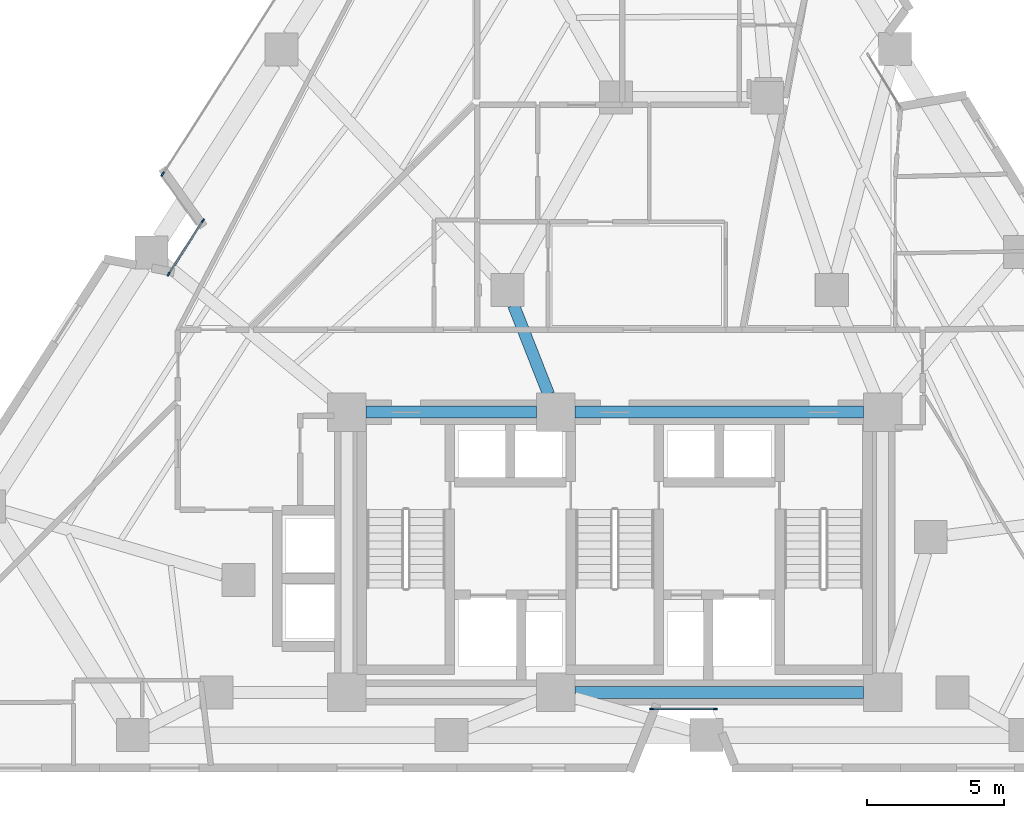
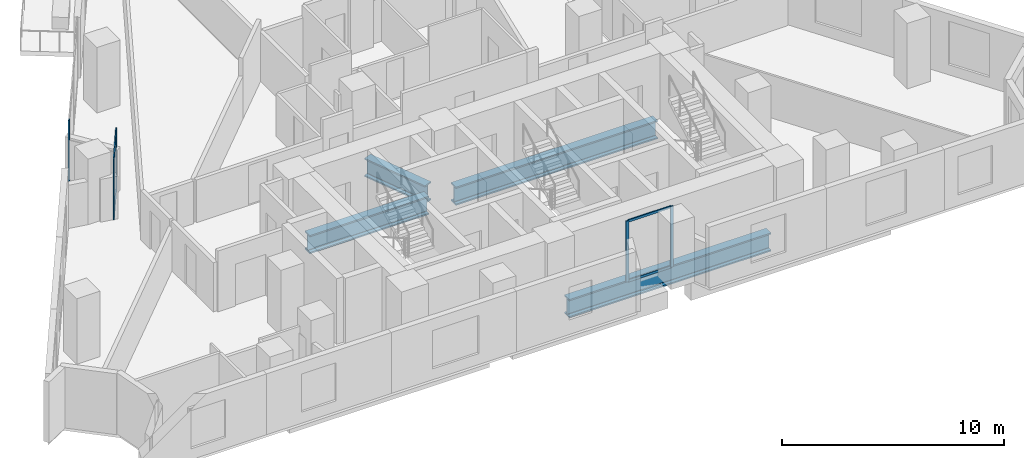
# One storey, part 2 of 13: 9 members, 4 beams, 3 elements without a shape of their own.
"""IFC4 building model written with IfcOpenShell, lengths in metres."""

from ifc_helpers import new_model, si_unit, direction, frame, origin, origin_2d, place, context, subcontext, project, spatial, rectangle, i_section, extrude, material, layer, layer_set, material_profile, profile_set, type_object, element, aggregate, save


model = new_model("IFC4")

# Units and contexts
model_context = context("Model", 3, precision=1e-05, world=origin(), true_north=direction((0.0, 1.0)))
body_context = subcontext(model_context, "Body", "Model", "MODEL_VIEW")
ifc_project = project(units=[si_unit("LENGTHUNIT", "METRE"), si_unit("AREAUNIT", "SQUARE_METRE"), si_unit("VOLUMEUNIT", "CUBIC_METRE"), si_unit("PLANEANGLEUNIT", "RADIAN"), si_unit("MASSUNIT", "GRAM", prefix="KILO")], contexts=[model_context])

# Site, building, storey
site_placement = place(None, origin())
site = spatial("IfcSite", under=ifc_project, at=site_placement, CompositionType="ELEMENT")
building_placement = place(site_placement, origin())
building = spatial("IfcBuilding", under=site, at=building_placement, Name="Almagre Mirador Tower", CompositionType="ELEMENT")
storey_placement = place(building_placement, frame((0.0, 0.0, 82.199951171875)))
storey = spatial("IfcBuildingStorey", under=building, at=storey_placement, Name="L20", CompositionType="ELEMENT", Elevation=82.199951171875)

# Beams
ifc_material_1 = material(Name="Steel ASTM A992 Grade 50", Category="steel")
ifc_material_profile_1 = material_profile(ifc_material_1, i_section(OverallWidth=0.43701171875, OverallDepth=1.010986328125, WebThickness=0.041015625, FlangeThickness=0.073974609375, FilletRadius=0.028076171875, at=origin_2d()), Name="W36X529")
ifc_profile_set_1 = profile_set([ifc_material_profile_1], Name="Steel ASTM A992 Grade 50")
beam_type = type_object("IfcBeamType", Name="BM-STL-W36X529", PredefinedType="BEAM", material=ifc_profile_set_1)
beam_1_placement = place(storey_placement, frame((35.85009765625, 4.550048828125, -0.75537109375), z_axis=(1.0, 0.0, 0.0), x_axis=(0.0, 1.0, 0.0)))
element("IfcBeam", 1, at=beam_1_placement, inside=storey, type_object=beam_type, Name="L20 core tie girder CC2-CC3", PredefinedType="BEAM", context=body_context, shape_type="SweptSolid", body=[
    extrude(i_section(OverallWidth=0.43701171875, OverallDepth=1.010986328125, WebThickness=0.041015625, FlangeThickness=0.073974609375, FilletRadius=0.028076171875, at=origin_2d()), origin(), (0.0, 0.0, 1.0), 10.5),
])
beam_2_placement = place(storey_placement, frame((28.25, 14.75, -0.75537109375), z_axis=(1.0, 0.0, 0.0), x_axis=(0.0, 1.0, 0.0)))
element("IfcBeam", 2, at=beam_2_placement, inside=storey, type_object=beam_type, Name="L20 core tie girder CC4-CC5", PredefinedType="BEAM", context=body_context, shape_type="SweptSolid", body=[
    extrude(i_section(OverallWidth=0.43701171875, OverallDepth=1.010986328125, WebThickness=0.041015625, FlangeThickness=0.073974609375, FilletRadius=0.028076171875, at=origin_2d()), origin(), (0.0, 0.0, 1.0), 6.199951171875),
])
beam_3_placement = place(storey_placement, frame((35.85009765625, 14.75, -0.75537109375), z_axis=(1.0, 0.0, 0.0), x_axis=(0.0, 1.0, 0.0)))
element("IfcBeam", 3, at=beam_3_placement, inside=storey, type_object=beam_type, Name="L20 core tie girder CC5-CC6", PredefinedType="BEAM", context=body_context, shape_type="SweptSolid", body=[
    extrude(i_section(OverallWidth=0.43701171875, OverallDepth=1.010986328125, WebThickness=0.041015625, FlangeThickness=0.073974609375, FilletRadius=0.028076171875, at=origin_2d()), origin(), (0.0, 0.0, 1.0), 10.5),
])
beam_4_placement = place(storey_placement, frame((33.61962890625, 18.6416015625, -0.75537109375), z_axis=(0.365956076985, -0.93063212373, 0.0), x_axis=(0.93063212373, 0.365956076985, 0.0)))
element("IfcBeam", 4, at=beam_4_placement, inside=storey, type_object=beam_type, Name="L20 core tie girder MC8-CC5", PredefinedType="BEAM", context=body_context, shape_type="SweptSolid", body=[
    extrude(i_section(OverallWidth=0.43701171875, OverallDepth=1.010986328125, WebThickness=0.041015625, FlangeThickness=0.073974609375, FilletRadius=0.028076171875, at=origin_2d()), origin(), (0.0, 0.0, 1.0), 3.481689453125),
])

# Curtain wall, members
ifc_material_2 = material(Name="Black anodized aluminium", Category="aluminium")
ifc_layer_1 = layer(ifc_material_2, 0.169921875)
ifc_layer_set_1 = layer_set([ifc_layer_1], Name="Black anodized aluminium")
curtain_wall_type_1 = type_object("IfcCurtainWallType", Name="CW-CRS-SYS", PredefinedType="NOTDEFINED", material=ifc_layer_set_1)
curtain_wall_1_placement = place(storey_placement, origin())
curtain_wall_1 = element("IfcCurtainWall", 5, at=curtain_wall_1_placement, inside=storey, type_object=curtain_wall_type_1, Name="L20 vertical crease curtain wall 01", PredefinedType="NOTDEFINED")
ifc_material_3 = material(Name="Black anodized aluminium", Category="aluminium")
ifc_material_profile_2 = material_profile(ifc_material_3, rectangle(XDim=0.06005859375, YDim=0.14990234375, at=origin_2d()), Name="CWM60X150")
ifc_profile_set_2 = profile_set([ifc_material_profile_2], Name="Black anodized aluminium")
member_type_1 = type_object("IfcMemberType", Name="MBR-CWM60X150", PredefinedType="MULLION", material=ifc_profile_set_2)
member_1_placement = place(storey_placement, frame((21.067626953125, 19.7724609375, 0.0), z_axis=(0.0, 0.0, 1.0), x_axis=(-0.841947934991, 0.539558777859, 0.0)))
member_1 = element("IfcMember", 6, at=member_1_placement, type_object=member_type_1, Name="CW-4 mullion 1", PredefinedType="MULLION", context=body_context, shape_type="SweptSolid", body=[
    extrude(rectangle(XDim=0.06005859375, YDim=0.14990234375, at=origin_2d()), origin(), (0.0, 0.0, 1.0), 3.35009765625),
])
member_2_placement = place(storey_placement, frame((22.314208984375, 21.717529296875, 0.0), z_axis=(0.0, 0.0, 1.0), x_axis=(-0.841947934991, 0.539558777859, 0.0)))
member_2 = element("IfcMember", 7, at=member_2_placement, type_object=member_type_1, Name="CW-4 mullion 2", PredefinedType="MULLION", context=body_context, shape_type="SweptSolid", body=[
    extrude(rectangle(XDim=0.06005859375, YDim=0.14990234375, at=origin_2d()), origin(), (0.0, 0.0, 1.0), 3.35009765625),
])

curtain_wall_2_placement = place(storey_placement, origin())
curtain_wall_2 = element("IfcCurtainWall", 8, at=curtain_wall_2_placement, inside=storey, type_object=curtain_wall_type_1, Name="L20 vertical crease curtain wall 04", PredefinedType="NOTDEFINED")
member_3_placement = place(storey_placement, frame((40.962890625, 3.949951171875, 0.0), z_axis=(0.0, 0.0, 1.0), x_axis=(0.0, -1.0, 0.0)))
member_3 = element("IfcMember", 9, at=member_3_placement, type_object=member_type_1, Name="CW-4 mullion 1", PredefinedType="MULLION", context=body_context, shape_type="SweptSolid", body=[
    extrude(rectangle(XDim=0.06005859375, YDim=0.14990234375, at=origin_2d()), origin(), (0.0, 0.0, 1.0), 3.35009765625),
])
member_4_placement = place(storey_placement, frame((38.653076171875, 3.949951171875, 0.0), z_axis=(0.0, 0.0, 1.0), x_axis=(0.0, -1.0, 0.0)))
member_4 = element("IfcMember", 10, at=member_4_placement, type_object=member_type_1, Name="CW-4 mullion 2", PredefinedType="MULLION", context=body_context, shape_type="SweptSolid", body=[
    extrude(rectangle(XDim=0.06005859375, YDim=0.14990234375, at=origin_2d()), origin(), (0.0, 0.0, 1.0), 3.35009765625),
])

# Curtain wall, member
ifc_material_4 = material(Name="Black anodized aluminium", Category="aluminium")
ifc_layer_2 = layer(ifc_material_4, 0.18994140625)
ifc_layer_set_2 = layer_set([ifc_layer_2], Name="Black anodized aluminium")
curtain_wall_type_2 = type_object("IfcCurtainWallType", Name="CW-RES-L-SYS", PredefinedType="NOTDEFINED", material=ifc_layer_set_2)
curtain_wall_3_placement = place(storey_placement, origin())
curtain_wall_3 = element("IfcCurtainWall", 11, at=curtain_wall_3_placement, inside=storey, type_object=curtain_wall_type_2, Name="L20 curtain wall run 02", PredefinedType="NOTDEFINED")
ifc_material_5 = material(Name="Black anodized aluminium", Category="aluminium")
ifc_material_profile_3 = material_profile(ifc_material_5, rectangle(XDim=0.06494140625, YDim=0.179931640625, at=origin_2d()), Name="CWM65X180")
ifc_profile_set_3 = profile_set([ifc_material_profile_3], Name="Black anodized aluminium")
member_type_2 = type_object("IfcMemberType", Name="MBR-CWM65X180", PredefinedType="MULLION", material=ifc_profile_set_3)
member_5_placement = place(storey_placement, frame((20.84814453125, 23.41357421875, 0.0), z_axis=(0.0, 0.0, 1.0), x_axis=(-0.8420145831, 0.539454763486, 0.0)))
member_5 = element("IfcMember", 12, at=member_5_placement, type_object=member_type_2, Name="CW-2 mullion 1", PredefinedType="MULLION", context=body_context, shape_type="SweptSolid", body=[
    extrude(rectangle(XDim=0.06494140625, YDim=0.179931640625, at=origin_2d()), origin(), (0.0, 0.0, 1.0), 3.35009765625),
])
aggregate(curtain_wall_3, [member_5])

# Member
ifc_material_6 = material(Name="Black anodized aluminium", Category="aluminium")
ifc_material_profile_4 = material_profile(ifc_material_6, rectangle(XDim=0.06005859375, YDim=0.1298828125, at=origin_2d()), Name="CWT60X130")
ifc_profile_set_4 = profile_set([ifc_material_profile_4], Name="Black anodized aluminium")
member_type_3 = type_object("IfcMemberType", Name="MBR-CWT60X130", PredefinedType="USERDEFINED", material=ifc_profile_set_4)
member_6_placement = place(storey_placement, frame((21.083984375, 19.797607421875, 0.030029296875), z_axis=(0.539512321275, 0.841977704688, 0.0), x_axis=(-0.841977704688, 0.539512321275, 0.0)))
member_6 = element("IfcMember", 13, at=member_6_placement, type_object=member_type_3, Name="CW-4 transom 1.1", ObjectType="TRANSOM", PredefinedType="USERDEFINED", context=body_context, shape_type="SweptSolid", body=[
    extrude(rectangle(XDim=0.06005859375, YDim=0.1298828125, at=origin_2d()), origin(), (0.0, 0.0, 1.0), 2.25048828125),
])

member_7_placement = place(storey_placement, frame((21.083984375, 19.797607421875, 3.320068359375), z_axis=(0.539512321275, 0.841977704688, 0.0), x_axis=(-0.841977704688, 0.539512321275, 0.0)))
member_7 = element("IfcMember", 14, at=member_7_placement, type_object=member_type_3, Name="CW-4 transom 1.2", ObjectType="TRANSOM", PredefinedType="USERDEFINED", context=body_context, shape_type="SweptSolid", body=[
    extrude(rectangle(XDim=0.06005859375, YDim=0.1298828125, at=origin_2d()), origin(), (0.0, 0.0, 1.0), 2.25048828125),
])

aggregate(curtain_wall_1, [member_1, member_2, member_6, member_7])

member_8_placement = place(storey_placement, frame((40.93310546875, 3.949951171875, 0.030029296875), z_axis=(-1.0, 0.0, 0.0), x_axis=(0.0, -1.0, 0.0)))
member_8 = element("IfcMember", 15, at=member_8_placement, type_object=member_type_3, Name="CW-4 transom 1.1", ObjectType="TRANSOM", PredefinedType="USERDEFINED", context=body_context, shape_type="SweptSolid", body=[
    extrude(rectangle(XDim=0.06005859375, YDim=0.1298828125, at=origin_2d()), origin(), (0.0, 0.0, 1.0), 2.25),
])

member_9_placement = place(storey_placement, frame((40.93310546875, 3.949951171875, 3.320068359375), z_axis=(-1.0, 0.0, 0.0), x_axis=(0.0, -1.0, 0.0)))
member_9 = element("IfcMember", 16, at=member_9_placement, type_object=member_type_3, Name="CW-4 transom 1.2", ObjectType="TRANSOM", PredefinedType="USERDEFINED", context=body_context, shape_type="SweptSolid", body=[
    extrude(rectangle(XDim=0.06005859375, YDim=0.1298828125, at=origin_2d()), origin(), (0.0, 0.0, 1.0), 2.25),
])

aggregate(curtain_wall_2, [member_3, member_4, member_8, member_9])

save(model, "model.ifc")
